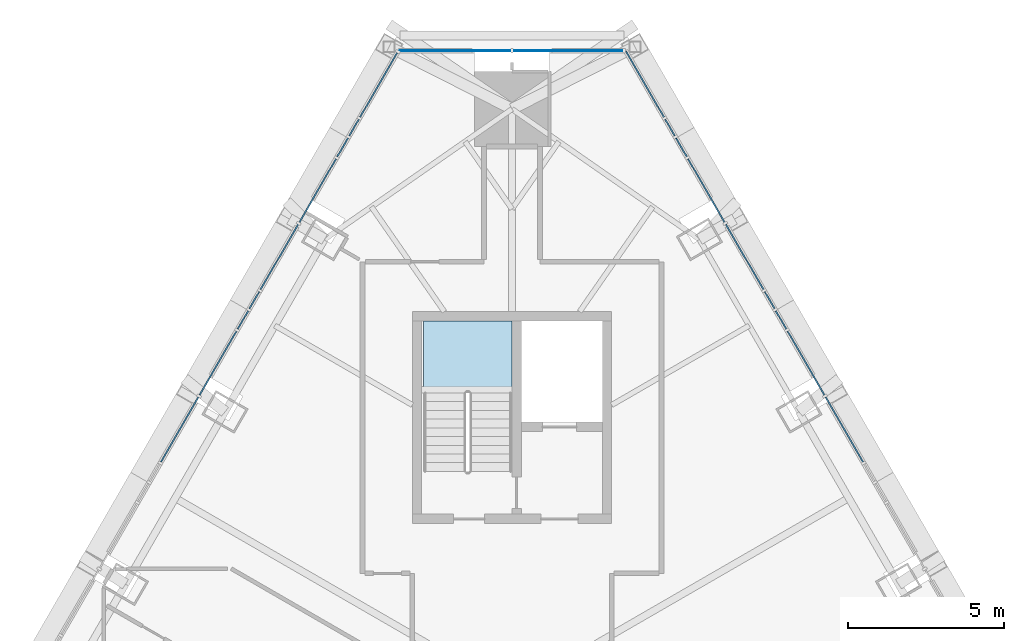
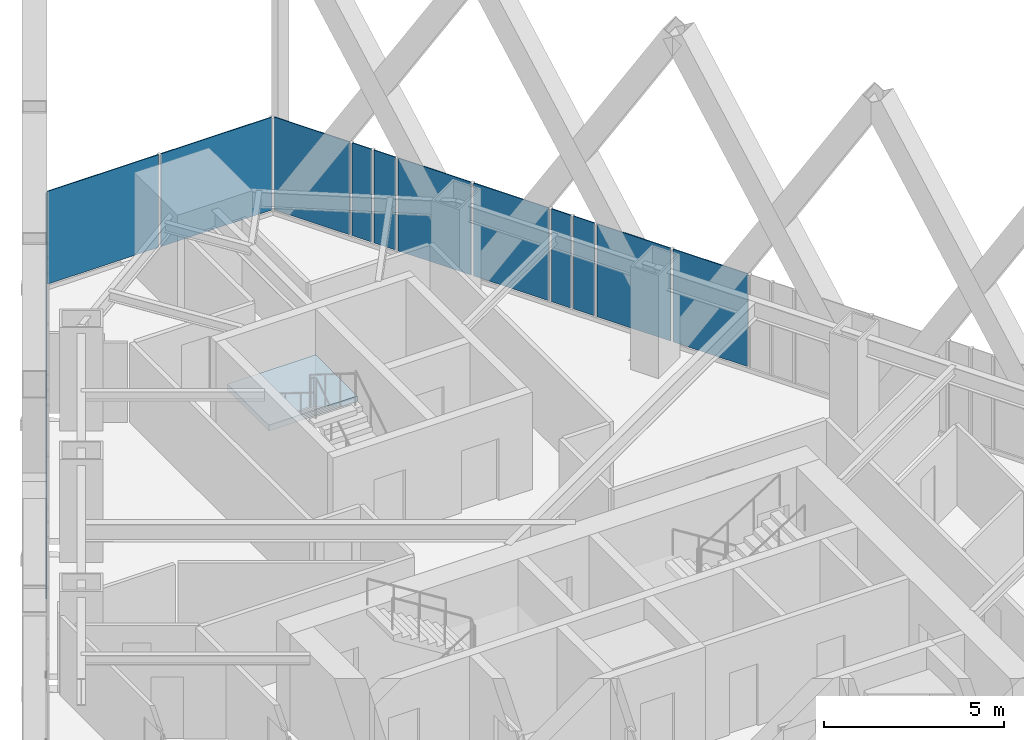
# One storey, part 13 of 21: 20 plates, 1 slab, 4 elements without a shape of their own.
"""IFC4 building model written with IfcOpenShell, lengths in metres."""

from ifc_helpers import new_model, si_unit, direction, frame, origin, place, context, subcontext, project, spatial, polyline, outline, extrude, material, layer, layer_set, type_object, element, aggregate, save


model = new_model("IFC4")

# Units and contexts
model_context = context("Model", 3, precision=1e-05, world=origin(), true_north=direction((0.0, 1.0)))
body_context = subcontext(model_context, "Body", "Model", "MODEL_VIEW")
ifc_project = project(units=[si_unit("LENGTHUNIT", "METRE"), si_unit("AREAUNIT", "SQUARE_METRE"), si_unit("VOLUMEUNIT", "CUBIC_METRE"), si_unit("PLANEANGLEUNIT", "RADIAN"), si_unit("MASSUNIT", "GRAM", prefix="KILO")], contexts=[model_context])

# Site, building, storey
site_placement = place(None, origin())
site = spatial("IfcSite", under=ifc_project, at=site_placement, CompositionType="ELEMENT")
building_placement = place(site_placement, origin())
building = spatial("IfcBuilding", under=site, at=building_placement, Name="Firuza Gate Tower and Library", CompositionType="ELEMENT")
storey_placement = place(building_placement, frame((0.0, 0.0, 281.10009765625)))
storey = spatial("IfcBuildingStorey", under=building, at=storey_placement, Name="L67", CompositionType="ELEMENT", Elevation=281.10009765625)

# Curtain wall, plates
ifc_material_1 = material(Name="Aluminium 6063-T6", Category="aluminium")
ifc_layer_1 = layer(ifc_material_1, 0.14990234375)
ifc_layer_set_1 = layer_set([ifc_layer_1], Name="Corner curtain wall, chamfers")
curtain_wall_type_1 = type_object("IfcCurtainWallType", Name="Corner curtain wall, chamfers", PredefinedType="NOTDEFINED", material=ifc_layer_set_1)
placement = place(storey_placement, origin())
curtain_wall_1 = element("IfcCurtainWall", 1, at=placement, inside=storey, type_object=curtain_wall_type_1, Name="CW4 L67 N corner", PredefinedType="NOTDEFINED")
ifc_material_2 = material(Name="Fritted glass", Category="glass")
ifc_layer_2 = layer(ifc_material_2, 0.030029296875)
ifc_layer_set_2 = layer_set([ifc_layer_2], Name="Fritted glass unit, corners")
plate_type_1 = type_object("IfcPlateType", Name="Fritted glass unit, corners", PredefinedType="CURTAIN_PANEL", material=ifc_layer_set_2)
plate_1_placement = place(storey_placement, frame((78.603271484375, 102.99072265625, 0.14990234375), z_axis=(0.0, 1.0, 0.0), x_axis=(-1.0, 0.0, 0.0)))
plate_1 = element("IfcPlate", 2, at=plate_1_placement, type_object=plate_type_1, Name="Glass unit", PredefinedType="CURTAIN_PANEL", context=body_context, shape_type="SweptSolid", body=[
    extrude(outline(polyline([(0.0, 0.0), (3.563232421875, 0.0), (3.563232421875, 3.14990234375), (0.0, 3.14990234375), (0.0, 0.0)])), origin(), (0.0, 0.0, -1.0), 0.030029296875),
])
plate_2_placement = place(storey_placement, frame((74.9599609375, 102.99072265625, 0.14990234375), z_axis=(0.0, 1.0, 0.0), x_axis=(-1.0, 0.0, 0.0)))
plate_2 = element("IfcPlate", 3, at=plate_2_placement, type_object=plate_type_1, Name="Glass unit", PredefinedType="CURTAIN_PANEL", context=body_context, shape_type="SweptSolid", body=[
    extrude(outline(polyline([(0.0, 0.0), (3.563232421875, 0.0), (3.563232421875, 3.14990234375), (0.0, 3.14990234375), (0.0, 0.0)])), origin(), (0.0, 0.0, -1.0), 0.030029296875),
])
aggregate(curtain_wall_1, [plate_1, plate_2])

ifc_material_3 = material(Name="Aluminium 6063-T6", Category="aluminium")
ifc_layer_3 = layer(ifc_material_3, 0.14990234375)
ifc_layer_set_3 = layer_set([ifc_layer_3], Name="Unitised curtain wall, residences")
curtain_wall_type_2 = type_object("IfcCurtainWallType", Name="Unitised curtain wall, residences", PredefinedType="NOTDEFINED", material=ifc_layer_set_3)
curtain_wall_2 = element("IfcCurtainWall", 4, at=placement, inside=storey, type_object=curtain_wall_type_2, Name="CW3 L67 E face", PredefinedType="NOTDEFINED")
ifc_material_4 = material(Name="Fritted glass", Category="glass")
ifc_layer_4 = layer(ifc_material_4, 0.030029296875)
ifc_layer_set_4 = layer_set([ifc_layer_4], Name="Fritted glass unit, residences")
plate_type_2 = type_object("IfcPlateType", Name="Fritted glass unit, residences", PredefinedType="CURTAIN_PANEL", material=ifc_layer_set_4)
plate_3_placement = place(storey_placement, frame((83.81591796875, 94.04638671875, 0.14990234375), z_axis=(0.865969252911, 0.500097243556, 0.0), x_axis=(-0.500097243556, 0.865969252911, 0.0)))
plate_3 = element("IfcPlate", 5, at=plate_3_placement, type_object=plate_type_2, Name="Glass unit", PredefinedType="CURTAIN_PANEL", context=body_context, shape_type="SweptSolid", body=[
    extrude(outline(polyline([(0.0, 0.0), (0.6766262174208122, 0.0), (0.6766262174208122, 3.14990234375), (0.0, 3.14990234375), (0.0, 0.0)])), origin(), (0.0, 0.0, -1.0), 0.030029296875),
])
plate_4_placement = place(storey_placement, frame((83.4375, 94.70166015625, 0.14990234375), z_axis=(0.866127254354, 0.49982354813, 0.0), x_axis=(-0.49982354813, 0.866127254354, 0.0)))
plate_4 = element("IfcPlate", 6, at=plate_4_placement, type_object=plate_type_2, Name="Glass unit", PredefinedType="CURTAIN_PANEL", context=body_context, shape_type="SweptSolid", body=[
    extrude(outline(polyline([(0.0, 0.0), (0.6271744572110576, 0.0), (0.6271744572110576, 3.14990234375), (0.0, 3.14990234375), (0.0, 0.0)])), origin(), (0.0, 0.0, -1.0), 0.030029296875),
])
plate_5_placement = place(storey_placement, frame((80.621337890625, 99.579833984375, 0.14990234375), z_axis=(0.865878714501, 0.500253987265, 0.0), x_axis=(-0.500253987265, 0.865878714501, 0.0)))
plate_5 = element("IfcPlate", 7, at=plate_5_placement, type_object=plate_type_2, Name="Glass unit", PredefinedType="CURTAIN_PANEL", context=body_context, shape_type="SweptSolid", body=[
    extrude(outline(polyline([(0.0, 0.0), (0.6891030781879908, 0.0), (0.6891030781879908, 3.1499023437499996), (0.0, 3.1499023437499996), (0.0, 0.0)])), origin(), (0.0, 0.0, -1.0), 0.030029296875),
])
plate_6_placement = place(storey_placement, frame((80.23681640625, 100.245849609375, 0.14990234375), z_axis=(0.865960651394, 0.500112137663, 0.0), x_axis=(-0.500112137663, 0.865960651394, 0.0)))
plate_6 = element("IfcPlate", 8, at=plate_6_placement, type_object=plate_type_2, Name="Glass unit", PredefinedType="CURTAIN_PANEL", context=body_context, shape_type="SweptSolid", body=[
    extrude(outline(polyline([(0.0, 0.0), (0.614608252284158, 0.0), (0.614608252284158, 3.14990234375), (0.0, 3.14990234375), (0.0, 0.0)])), origin(), (0.0, 0.0, -1.0), 0.030029296875),
])

curtain_wall_3 = element("IfcCurtainWall", 9, at=placement, inside=storey, type_object=curtain_wall_type_2, Name="CW3 L67 W face", PredefinedType="NOTDEFINED")
plate_7_placement = place(storey_placement, frame((70.070556640625, 100.778076171875, 0.14990234375), z_axis=(-0.865960651394, 0.500112137663, 0.0), x_axis=(-0.500112137663, -0.865960651394, 0.0)))
plate_7 = element("IfcPlate", 10, at=plate_7_placement, type_object=plate_type_2, Name="Glass unit", PredefinedType="CURTAIN_PANEL", context=body_context, shape_type="SweptSolid", body=[
    extrude(outline(polyline([(0.0, 0.0), (0.614608252284158, 0.0), (0.614608252284158, 3.14990234375), (0.0, 3.14990234375), (0.0, 0.0)])), origin(), (0.0, 0.0, -1.0), 0.030029296875),
])
plate_8_placement = place(storey_placement, frame((69.723388671875, 100.176513671875, 0.14990234375), z_axis=(-0.865878714501, 0.500253987265, 0.0), x_axis=(-0.500253987265, -0.865878714501, 0.0)))
plate_8 = element("IfcPlate", 11, at=plate_8_placement, type_object=plate_type_2, Name="Glass unit", PredefinedType="CURTAIN_PANEL", context=body_context, shape_type="SweptSolid", body=[
    extrude(outline(polyline([(0.0, 0.0), (0.6891030781879908, 0.0), (0.6891030781879908, 3.1499023437499996), (0.0, 3.1499023437499996), (0.0, 0.0)])), origin(), (0.0, 0.0, -1.0), 0.030029296875),
])
plate_9_placement = place(storey_placement, frame((66.8759765625, 95.244873046875, 0.14990234375), z_axis=(-0.866127254354, 0.49982354813, 0.0), x_axis=(-0.49982354813, -0.866127254354, 0.0)))
plate_9 = element("IfcPlate", 12, at=plate_9_placement, type_object=plate_type_2, Name="Glass unit", PredefinedType="CURTAIN_PANEL", context=body_context, shape_type="SweptSolid", body=[
    extrude(outline(polyline([(0.0, 0.0), (0.6271744572110576, 0.0), (0.6271744572110576, 3.14990234375), (0.0, 3.14990234375), (0.0, 0.0)])), origin(), (0.0, 0.0, -1.0), 0.030029296875),
])
plate_10_placement = place(storey_placement, frame((66.5224609375, 94.63232421875, 0.14990234375), z_axis=(-0.865969252911, 0.500097243556, 0.0), x_axis=(-0.500097243556, -0.865969252911, 0.0)))
plate_10 = element("IfcPlate", 13, at=plate_10_placement, type_object=plate_type_2, Name="Glass unit", PredefinedType="CURTAIN_PANEL", context=body_context, shape_type="SweptSolid", body=[
    extrude(outline(polyline([(0.0, 0.0), (0.6766262174208122, 0.0), (0.6766262174208122, 3.14990234375), (0.0, 3.14990234375), (0.0, 0.0)])), origin(), (0.0, 0.0, -1.0), 0.030029296875),
])

# Plate
ifc_material_5 = material(Name="Glazed ceramic tile")
ifc_layer_5 = layer(ifc_material_5, 0.030029296875)
ifc_layer_set_5 = layer_set([ifc_layer_5], Name="Opaque ceramic panel, residences")
plate_type_3 = type_object("IfcPlateType", Name="Opaque ceramic panel, residences", PredefinedType="CURTAIN_PANEL", material=ifc_layer_set_5)
plate_11_placement = place(storey_placement, frame((86.278564453125, 89.78076171875, 0.14990234375), z_axis=(0.866019662671, 0.500009943768, 0.0), x_axis=(-0.500009943768, 0.866019662671, 0.0)))
plate_11 = element("IfcPlate", 14, at=plate_11_placement, type_object=plate_type_3, Name="Opaque ceramic panel", PredefinedType="CURTAIN_PANEL", context=body_context, shape_type="SweptSolid", body=[
    extrude(outline(polyline([(0.0, 0.0), (2.4013194311729054, 0.0), (2.4013194311729054, 3.14990234375), (0.0, 3.14990234375), (0.0, 0.0)])), origin(), (0.0, 0.0, -1.0), 0.030029296875),
])

plate_12_placement = place(storey_placement, frame((85.0380859375, 91.9296875, 0.14990234375), z_axis=(0.866035987407, 0.49998166818, 0.0), x_axis=(-0.49998166818, 0.866035987407, 0.0)))
plate_12 = element("IfcPlate", 15, at=plate_12_placement, type_object=plate_type_3, Name="Opaque ceramic panel", PredefinedType="CURTAIN_PANEL", context=body_context, shape_type="SweptSolid", body=[
    extrude(outline(polyline([(0.0, 0.0), (2.364344497976005, 0.0), (2.364344497976005, 3.1499023437499996), (0.0, 3.1499023437499996), (0.0, 0.0)])), origin(), (0.0, 0.0, -1.0), 0.030029296875),
])

plate_13_placement = place(storey_placement, frame((83.083984375, 95.314208984375, 0.14990234375), z_axis=(0.866037360815, 0.499979289244, 0.0), x_axis=(-0.499979289244, 0.866037360815, 0.0)))
plate_13 = element("IfcPlate", 16, at=plate_13_placement, type_object=plate_type_3, Name="Opaque ceramic panel", PredefinedType="CURTAIN_PANEL", context=body_context, shape_type="SweptSolid", body=[
    extrude(outline(polyline([(0.0, 0.0), (2.413674196784525, 0.0), (2.413674196784525, 3.14990234375), (0.0, 3.14990234375), (0.0, 0.0)])), origin(), (0.0, 0.0, -1.0), 0.030029296875),
])

plate_14_placement = place(storey_placement, frame((81.837158203125, 97.4736328125, 0.14990234375), z_axis=(0.866017910757, 0.500012978079, 0.0), x_axis=(-0.500012978079, 0.866017910757, 0.0)))
plate_14 = element("IfcPlate", 17, at=plate_14_placement, type_object=plate_type_3, Name="Opaque ceramic panel", PredefinedType="CURTAIN_PANEL", context=body_context, shape_type="SweptSolid", body=[
    extrude(outline(polyline([(0.0, 0.0), (2.351989732630695, 0.0), (2.351989732630695, 3.14990234375), (0.0, 3.14990234375), (0.0, 0.0)])), origin(), (0.0, 0.0, -1.0), 0.030029296875),
])

plate_15_placement = place(storey_placement, frame((79.889404296875, 100.847412109375, 0.14990234375), z_axis=(0.866011303768, 0.50002442115, 0.0), x_axis=(-0.50002442115, 0.866011303768, 0.0)))
plate_15 = element("IfcPlate", 18, at=plate_15_placement, type_object=plate_type_3, Name="Opaque ceramic panel", PredefinedType="CURTAIN_PANEL", context=body_context, shape_type="SweptSolid", body=[
    extrude(outline(polyline([(0.0, 0.0), (2.4261510324511844, 0.0), (2.4261510324511844, 3.14990234375), (0.0, 3.14990234375), (0.0, 0.0)])), origin(), (0.0, 0.0, -1.0), 0.030029296875),
])

aggregate(curtain_wall_2, [plate_11, plate_12, plate_3, plate_4, plate_13, plate_14, plate_5, plate_6, plate_15])

plate_16_placement = place(storey_placement, frame((71.32373046875, 102.948486328125, 0.14990234375), z_axis=(-0.866011303768, 0.50002442115, 0.0), x_axis=(-0.50002442115, -0.866011303768, 0.0)))
plate_16 = element("IfcPlate", 19, at=plate_16_placement, type_object=plate_type_3, Name="Opaque ceramic panel", PredefinedType="CURTAIN_PANEL", context=body_context, shape_type="SweptSolid", body=[
    extrude(outline(polyline([(0.0, 0.0), (2.4261510324511844, 0.0), (2.4261510324511844, 3.14990234375), (0.0, 3.14990234375), (0.0, 0.0)])), origin(), (0.0, 0.0, -1.0), 0.030029296875),
])

plate_17_placement = place(storey_placement, frame((69.3388671875, 99.510498046875, 0.14990234375), z_axis=(-0.866017910757, 0.500012978079, 0.0), x_axis=(-0.500012978079, -0.866017910757, 0.0)))
plate_17 = element("IfcPlate", 20, at=plate_17_placement, type_object=plate_type_3, Name="Opaque ceramic panel", PredefinedType="CURTAIN_PANEL", context=body_context, shape_type="SweptSolid", body=[
    extrude(outline(polyline([(0.0, 0.0), (2.351989732630695, 0.0), (2.351989732630695, 3.14990234375), (0.0, 3.14990234375), (0.0, 0.0)])), origin(), (0.0, 0.0, -1.0), 0.030029296875),
])

plate_18_placement = place(storey_placement, frame((68.122802734375, 97.404541015625, 0.14990234375), z_axis=(-0.866037360815, 0.499979289244, 0.0), x_axis=(-0.499979289244, -0.866037360815, 0.0)))
plate_18 = element("IfcPlate", 21, at=plate_18_placement, type_object=plate_type_3, Name="Opaque ceramic panel", PredefinedType="CURTAIN_PANEL", context=body_context, shape_type="SweptSolid", body=[
    extrude(outline(polyline([(0.0, 0.0), (2.413674196784525, 0.0), (2.413674196784525, 3.14990234375), (0.0, 3.14990234375), (0.0, 0.0)])), origin(), (0.0, 0.0, -1.0), 0.030029296875),
])

plate_19_placement = place(storey_placement, frame((66.14404296875, 93.977294921875, 0.14990234375), z_axis=(-0.866035987407, 0.49998166818, 0.0), x_axis=(-0.49998166818, -0.866035987407, 0.0)))
plate_19 = element("IfcPlate", 22, at=plate_19_placement, type_object=plate_type_3, Name="Opaque ceramic panel", PredefinedType="CURTAIN_PANEL", context=body_context, shape_type="SweptSolid", body=[
    extrude(outline(polyline([(0.0, 0.0), (2.364344497976005, 0.0), (2.364344497976005, 3.1499023437499996), (0.0, 3.1499023437499996), (0.0, 0.0)])), origin(), (0.0, 0.0, -1.0), 0.030029296875),
])

plate_20_placement = place(storey_placement, frame((64.922119140625, 91.8603515625, 0.14990234375), z_axis=(-0.866019662671, 0.500009943768, 0.0), x_axis=(-0.500009943768, -0.866019662671, 0.0)))
plate_20 = element("IfcPlate", 23, at=plate_20_placement, type_object=plate_type_3, Name="Opaque ceramic panel", PredefinedType="CURTAIN_PANEL", context=body_context, shape_type="SweptSolid", body=[
    extrude(outline(polyline([(0.0, 0.0), (2.4013194311729054, 0.0), (2.4013194311729054, 3.14990234375), (0.0, 3.14990234375), (0.0, 0.0)])), origin(), (0.0, 0.0, -1.0), 0.030029296875),
])

aggregate(curtain_wall_3, [plate_16, plate_7, plate_8, plate_17, plate_18, plate_9, plate_10, plate_19, plate_20])

# Stair, slab
ifc_material_6 = material(Name="Concrete C35/45", Category="concrete")
stair_type = type_object("IfcStairType", Name="Exit stair ST17", PredefinedType="HALF_TURN_STAIR", material=ifc_material_6)
stair = element("IfcStair", 24, at=placement, inside=storey, type_object=stair_type, Name="L67 Stair ST3", PredefinedType="HALF_TURN_STAIR")
ifc_material_7 = material(Name="Concrete C35/45", Category="concrete")
ifc_layer_6 = layer(ifc_material_7, 0.199951171875)
ifc_layer_set_6 = layer_set([ifc_layer_6], Name="Stair landing 200")
slab_type = type_object("IfcSlabType", Name="Stair landing 200", PredefinedType="LANDING", material=ifc_layer_set_6)
slab_placement = place(storey_placement, frame((0.0, 0.0, 1.5498046875)))
slab = element("IfcSlab", 25, at=slab_placement, type_object=slab_type, Name="ST3 landing 1", PredefinedType="LANDING", context=body_context, shape_type="SweptSolid", body=[
    extrude(outline(polyline([(75.0, 91.989990234375), (75.0, 94.300048828125), (72.159912109375, 94.300048828125), (72.159912109375, 91.989990234375), (75.0, 91.989990234375)])), origin(), (0.0, 0.0, 1.0), 0.2001953125),
])
aggregate(stair, [slab])

save(model, "model.ifc")
